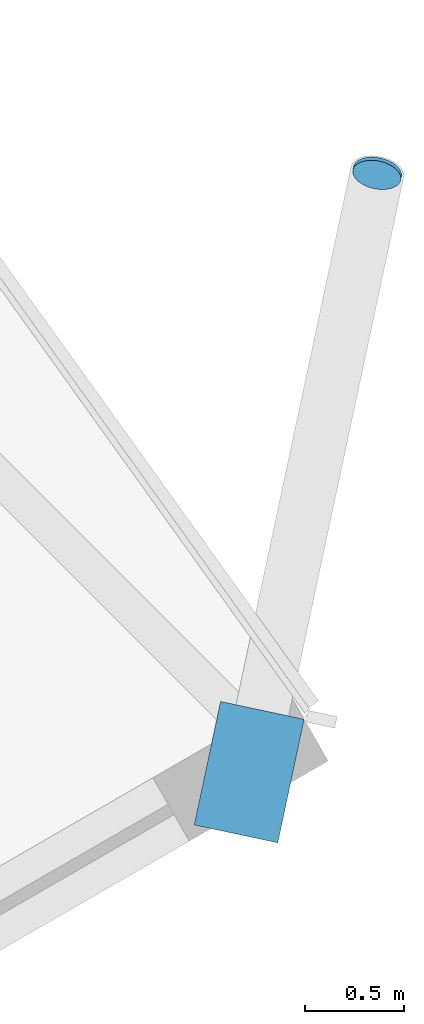
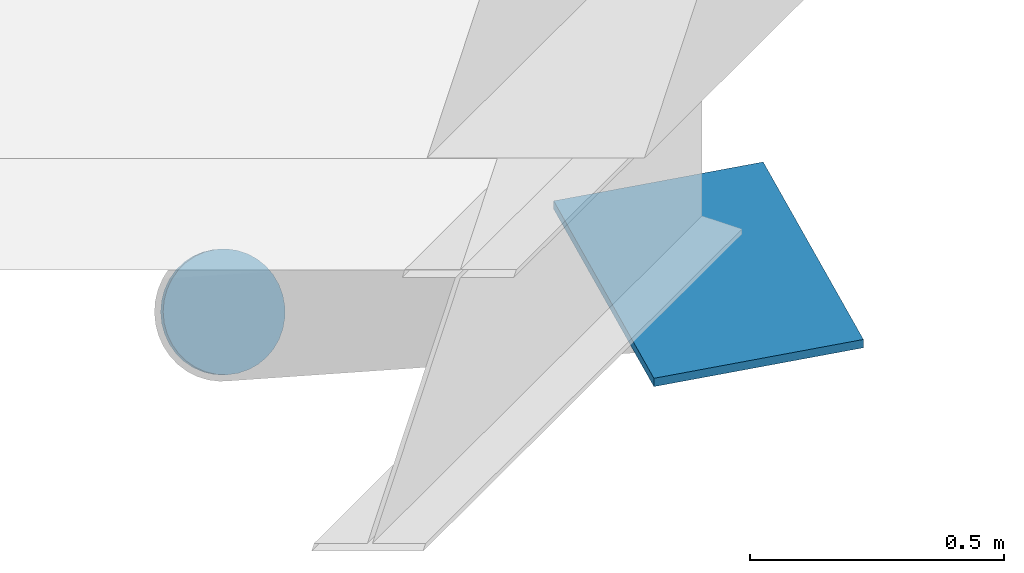
# One storey, part 34 of 36: 2 discrete accessories.
"""IFC4 building model written with IfcOpenShell, lengths in metres."""

from ifc_helpers import new_model, si_unit, direction, frame, origin, origin_2d, place, context, subcontext, project, spatial, polyline, rectangle, circle, outline, extrude, material, material_profile, profile_set, type_object, element, save


model = new_model("IFC4")

# Units and contexts
model_context = context("Model", 3, precision=1e-05, world=origin(), true_north=direction((0.0, 1.0)))
body_context = subcontext(model_context, "Body", "Model", "MODEL_VIEW")
ifc_project = project(units=[si_unit("LENGTHUNIT", "METRE"), si_unit("AREAUNIT", "SQUARE_METRE"), si_unit("VOLUMEUNIT", "CUBIC_METRE"), si_unit("PLANEANGLEUNIT", "RADIAN"), si_unit("MASSUNIT", "GRAM", prefix="KILO")], contexts=[model_context])

# Site, building, storey
site_placement = place(None, origin())
site = spatial("IfcSite", under=ifc_project, at=site_placement, CompositionType="ELEMENT")
building_placement = place(site_placement, origin())
building = spatial("IfcBuilding", under=site, at=building_placement, Name="Rimbun Link Towers", CompositionType="ELEMENT")
storey_placement = place(building_placement, frame((0.0, 0.0, 154.39990234375)))
storey = spatial("IfcBuildingStorey", under=building, at=storey_placement, Name="L37", CompositionType="ELEMENT", Elevation=154.39990234375)

# Discrete accessories
ifc_material_1 = material(Name="Steel S355J2H", Category="steel")
ifc_material_profile_1 = material_profile(ifc_material_1, circle(Radius=0.1240234375, at=origin_2d()), Name="PL D248")
ifc_profile_set_1 = profile_set([ifc_material_profile_1], Name="Steel S355J2H")
discrete_accessory_type_1 = type_object("IfcDiscreteAccessoryType", Name="Link foot sealing plate D248X20", PredefinedType="BRACKET", material=ifc_profile_set_1)
discrete_accessory_1_placement = place(storey_placement, frame((51.642578125, 14.021240234375, -2.793212890625), z_axis=(0.170263896376, 0.802672654344, -0.571600223548), x_axis=(-0.978234125102, 0.207504208355, 0.0)))
element("IfcDiscreteAccessory", 1, at=discrete_accessory_1_placement, inside=storey, type_object=discrete_accessory_type_1, Name="Link foot sealing plate T2 L37 23", PredefinedType="BRACKET", context=body_context, shape_type="SweptSolid", body=[
    extrude(circle(Radius=0.1240234375, at=origin_2d()), origin(), (0.0, 0.0, 1.0), 0.02001953125),
])
ifc_material_2 = material(Name="Steel S355J2H", Category="steel")
ifc_material_profile_2 = material_profile(ifc_material_2, rectangle(XDim=0.43310546875, YDim=0.43310546875, at=origin_2d()), Name="PL 433x433")
ifc_profile_set_2 = profile_set([ifc_material_profile_2], Name="Steel S355J2H")
discrete_accessory_type_2 = type_object("IfcDiscreteAccessoryType", Name="Link head end plate 433X20", PredefinedType="BRACKET", material=ifc_profile_set_2)
discrete_accessory_2_placement = place(storey_placement, frame((0.0, 0.0, -0.6533203125)))
element("IfcDiscreteAccessory", 2, at=discrete_accessory_2_placement, inside=storey, type_object=discrete_accessory_type_2, Name="Link head end plate T2 L37 23", PredefinedType="BRACKET", context=body_context, shape_type="SweptSolid", body=[
    extrude(outline(polyline([(51.141357421875, 10.639404296875), (51.27490234375, 11.264892578125), (50.8515625, 11.35546875), (50.718017578125, 10.72998046875), (51.141357421875, 10.639404296875)])), origin(), (0.0, 0.0, 1.0), 0.02001953125),
])

save(model, "model.ifc")
